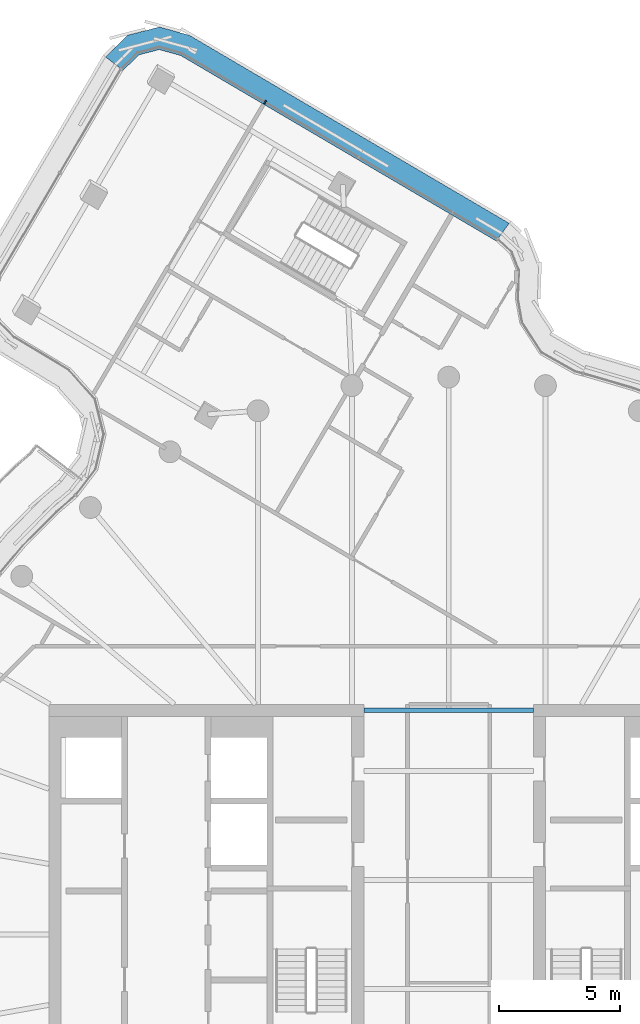
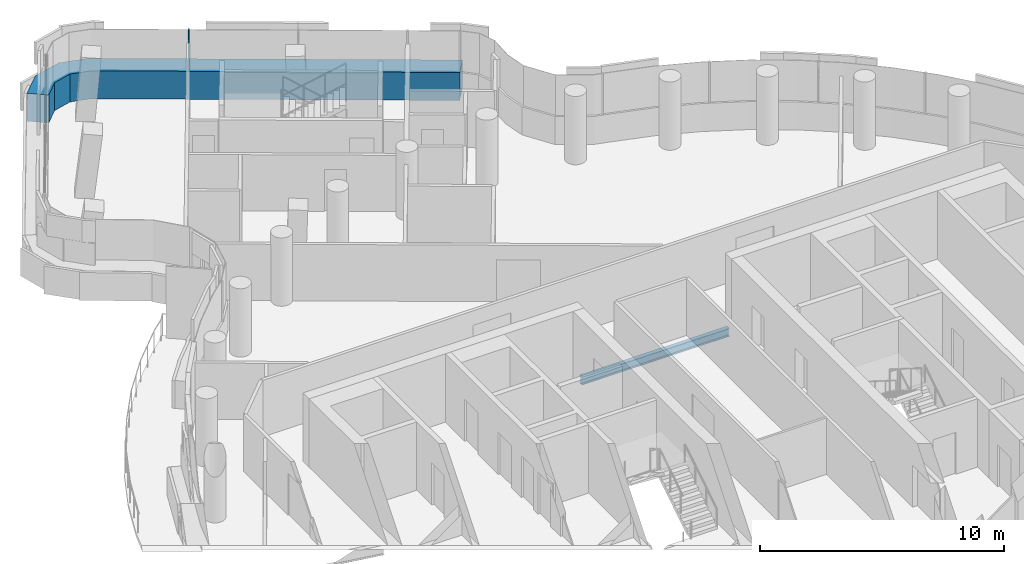
# One storey, part 10 of 26: 2 members, 1 beam, 1 element without a shape of its own.
"""IFC4 building model written with IfcOpenShell, lengths in metres."""

from ifc_helpers import new_model, si_unit, direction, frame, origin, origin_2d, place, context, subcontext, project, spatial, polyline, rectangle, i_section, outline, extrude, material, layer, layer_set, material_profile, profile_set, type_object, element, aggregate, save


model = new_model("IFC4")

# Units and contexts
model_context = context("Model", 3, precision=1e-05, world=origin(), true_north=direction((0.0, 1.0)))
body_context = subcontext(model_context, "Body", "Model", "MODEL_VIEW")
ifc_project = project(units=[si_unit("LENGTHUNIT", "METRE"), si_unit("AREAUNIT", "SQUARE_METRE"), si_unit("VOLUMEUNIT", "CUBIC_METRE"), si_unit("PLANEANGLEUNIT", "RADIAN"), si_unit("MASSUNIT", "GRAM", prefix="KILO")], contexts=[model_context])

# Site, building, storey
site_placement = place(None, origin())
site = spatial("IfcSite", under=ifc_project, at=site_placement, CompositionType="ELEMENT")
building_placement = place(site_placement, origin())
building = spatial("IfcBuilding", under=site, at=building_placement, Name="Tamarind Cross Interchange Tower", CompositionType="ELEMENT")
storey_placement = place(building_placement, frame((0.0, 0.0, 248.699951171875)))
storey = spatial("IfcBuildingStorey", under=building, at=storey_placement, Name="L63", CompositionType="ELEMENT", Elevation=248.699951171875)

# Beam
ifc_material_1 = material(Name="Steel Q355B", Category="steel")
ifc_material_profile_1 = material_profile(ifc_material_1, i_section(OverallWidth=0.199951171875, OverallDepth=0.39990234375, WebThickness=0.008056640625, FlangeThickness=0.012939453125, FilletRadius=0.01611328125, at=origin_2d()), Name="HN 400x200x8x13")
ifc_profile_set_1 = profile_set([ifc_material_profile_1], Name="Steel Q355B")
beam_type = type_object("IfcBeamType", Name="Composite beam HN 400x200x8x13 Q355B", PredefinedType="BEAM", material=ifc_profile_set_1)
beam_placement = place(storey_placement, frame((-3.5, 9.25, -0.33984375), z_axis=(1.0, 0.0, 0.0), x_axis=(0.0, 1.0, 0.0)))
element("IfcBeam", 1, at=beam_placement, inside=storey, type_object=beam_type, Name="Beam G9.25", PredefinedType="BEAM", context=body_context, shape_type="SweptSolid", body=[
    extrude(i_section(OverallWidth=0.199951171875, OverallDepth=0.39990234375, WebThickness=0.008056640625, FlangeThickness=0.012939453125, FilletRadius=0.01611328125, at=origin_2d()), origin(), (0.0, 0.0, 1.0), 7.0),
])

# Curtain wall, members
ifc_material_2 = material(Name="Aluminium 6063-T6", Category="aluminium")
ifc_layer = layer(ifc_material_2, 0.139892578125)
ifc_layer_set = layer_set([ifc_layer], Name="Aluminium 6063-T6")
curtain_wall_type = type_object("IfcCurtainWallType", Name="Hotel curtain wall, 4.5 m bays", PredefinedType="NOTDEFINED", material=ifc_layer_set)
curtain_wall_placement = place(storey_placement, origin())
curtain_wall = element("IfcCurtainWall", 2, at=curtain_wall_placement, inside=storey, type_object=curtain_wall_type, Name="CWS-L63-02", PredefinedType="NOTDEFINED")
ifc_material_3 = material(Name="Aluminium and insulated spandrel panel", Category="aluminium")
member_type_1 = type_object("IfcMemberType", Name="Floor-edge blade transom", PredefinedType="USERDEFINED", material=ifc_material_3)
member_1_placement = place(storey_placement, origin())
member_1 = element("IfcMember", 3, at=member_1_placement, type_object=member_type_1, Name="CWT-L63-02", ObjectType="TRANSOM", PredefinedType="USERDEFINED", context=body_context, shape_type="SweptSolid", body=[
    extrude(outline(polyline([(1.95849609375, 28.62060546875), (-11.062255859375, 36.27392578125), (-11.944580078125, 36.517822265625), (-12.791015625, 36.2978515625), (-13.443359375, 35.65576171875), (-14.1591796875, 36.2138671875), (-13.25048828125, 37.1083984375), (-11.937255859375, 37.449462890625), (-10.708251953125, 37.10986328125), (2.5009765625, 29.345458984375), (1.95849609375, 28.62060546875)])), origin(), (0.0, 0.0, 1.0), 1.400146484375),
])
ifc_material_profile_2 = material_profile(ifc_material_2, rectangle(XDim=0.06005859375, YDim=0.139892578125, at=origin_2d()), Name="Mullion CW2")
ifc_profile_set_2 = profile_set([ifc_material_profile_2], Name="Aluminium 6063-T6")
member_type_2 = type_object("IfcMemberType", Name="Mullion CW2", PredefinedType="MULLION", material=ifc_profile_set_2)
member_2_placement = place(storey_placement, frame((-7.577392578125, 34.341552734375, 1.400146484375), z_axis=(0.0, 0.0, 1.0), x_axis=(-0.862103583695, 0.506732089945, 0.0)))
member_2 = element("IfcMember", 4, at=member_2_placement, type_object=member_type_2, Name="CWM-L63-02-03", PredefinedType="MULLION", context=body_context, shape_type="SweptSolid", body=[
    extrude(rectangle(XDim=0.06005859375, YDim=0.139892578125, at=origin_2d()), origin(), (0.0, 0.0, 1.0), 2.02001953125),
])
aggregate(curtain_wall, [member_2, member_1])

save(model, "model.ifc")
